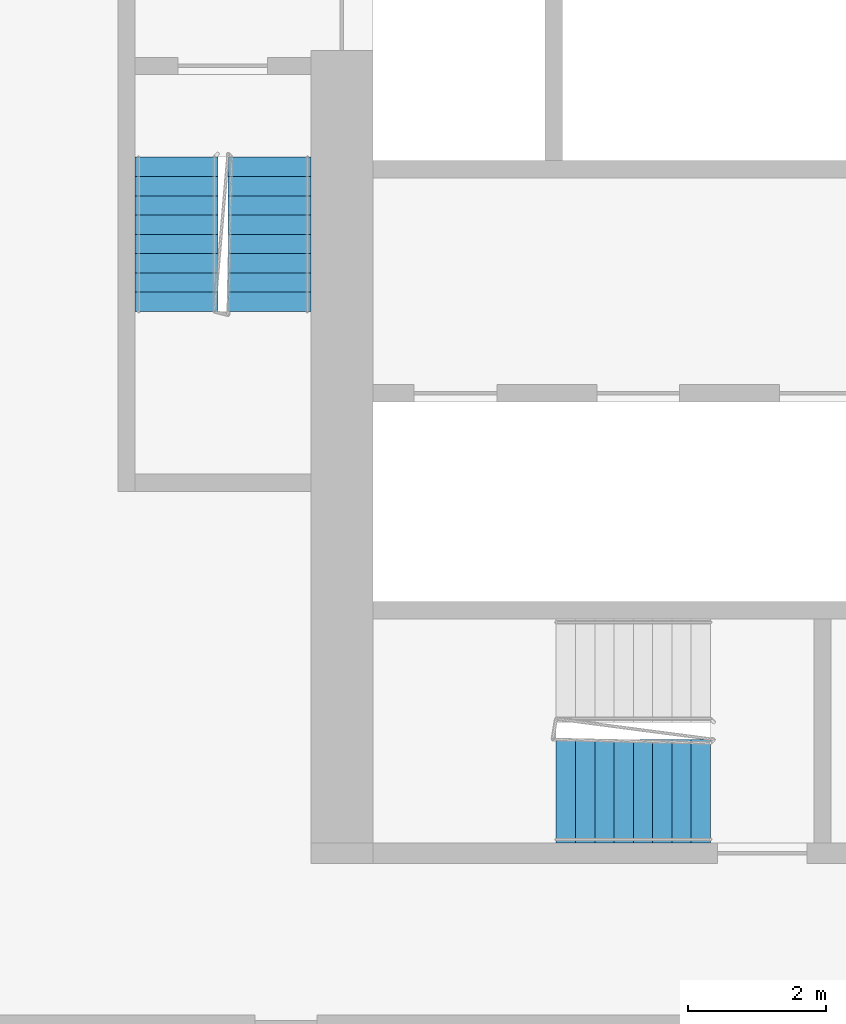
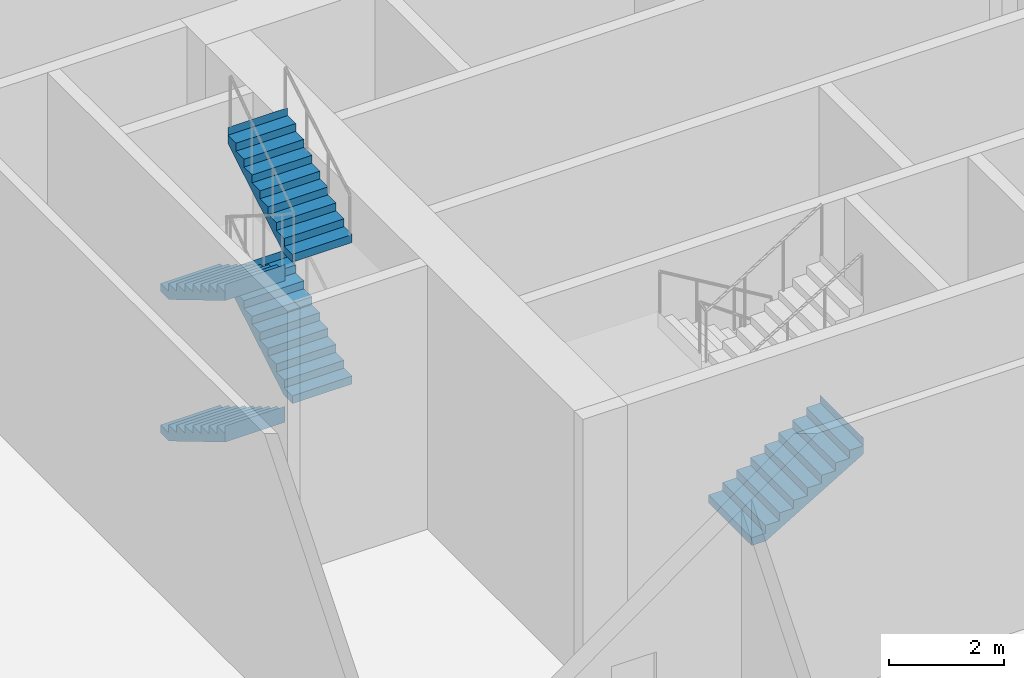
# One storey, part 19 of 26: 5 stair flights, 2 elements without a shape of their own.
"""IFC4 building model written with IfcOpenShell, lengths in metres."""

import ifcopenshell
import ifcopenshell.guid

model = None  # the IFC model being written
_history = None  # IfcOwnerHistory: only IFC2X3 demands one
_inside = {}  # id of a spatial element -> (the spatial element, [elements in it])
_under = {}  # id of a project, library or spatial element -> (it, [spatial elements below it])
_declared = {}  # id of a project -> (the project, [libraries it declares])
_typed = {}  # id of a type object -> (the type object, [elements of that type])
_made_of = {}  # id of a material, layer set ... -> (it, [elements and type objects made of it])


def new_model(schema):
    """Start an empty IFC model of exactly this schema.

    Asked for "IFC4X3", IfcOpenShell would pick the latest addendum, in which some entities
    have other attributes; the version numbers below select the first issue.
    IFC2X3 requires an IfcOwnerHistory on every rooted entity: one is made here for all.
    """
    global model, _history
    if schema == "IFC4X3":
        model = ifcopenshell.file(schema_version=(4, 3, 0, 0))
    else:
        model = ifcopenshell.file(schema=schema)
    _inside.clear()
    _under.clear()
    _declared.clear()
    _typed.clear()
    _made_of.clear()
    _history = None
    if model.schema == "IFC2X3":
        org = make("IfcOrganization", Name="unknown")
        user = make(
            "IfcPersonAndOrganization",
            ThePerson=make("IfcPerson", FamilyName="unknown"),
            TheOrganization=org,
        )
        app = make(
            "IfcApplication",
            ApplicationDeveloper=org,
            Version="unknown",
            ApplicationFullName="unknown",
            ApplicationIdentifier="unknown",
        )
        _history = make(
            "IfcOwnerHistory",
            OwningUser=user,
            OwningApplication=app,
            ChangeAction="ADDED",
            CreationDate=0,
        )
    return model


def make(cls, **values):
    """One entity of the class cls with the attributes given. An attribute that is None is left unset."""
    return model.create_entity(
        cls, **{name: value for name, value in values.items() if value is not None}
    )


def rooted(cls, **values):
    """An entity with a GlobalId (a new one), such as an element, a storey or a relation."""
    return make(cls, GlobalId=ifcopenshell.guid.new(), OwnerHistory=_history, **values)


def si_unit(unit_type, name, prefix=None):
    """IfcSIUnit, for example si_unit("LENGTHUNIT", "METRE", prefix="MILLI")."""
    return make("IfcSIUnit", UnitType=unit_type, Prefix=prefix, Name=name)


def assignment(units):
    """IfcUnitAssignment: the units of a project."""
    return None if units is None else make("IfcUnitAssignment", Units=units)


def point(xyz):
    """IfcCartesianPoint."""
    return None if xyz is None else make("IfcCartesianPoint", Coordinates=xyz)


def direction(xyz):
    """IfcDirection."""
    return None if xyz is None else make("IfcDirection", DirectionRatios=xyz)


def frame(location, z_axis=None, x_axis=None):
    """IfcAxis2Placement3D, a coordinate frame: its origin and axes. An axis left out is left unset."""
    return make(
        "IfcAxis2Placement3D",
        Location=point(location),
        Axis=direction(z_axis),
        RefDirection=direction(x_axis),
    )


def origin():
    """The frame at (0, 0, 0) with its axes left unset."""
    return frame((0.0, 0.0, 0.0))


def place(relative_to, where):
    """IfcLocalPlacement: puts the frame where relative to a parent placement (None: the world)."""
    return make(
        "IfcLocalPlacement", PlacementRelTo=relative_to, RelativePlacement=where
    )


def context(
    kind, dimensions, precision=None, world=None, true_north=None, identifier=None
):
    """IfcGeometricRepresentationContext, for example the 3D "Model" context."""
    return make(
        "IfcGeometricRepresentationContext",
        ContextIdentifier=identifier,
        ContextType=kind,
        CoordinateSpaceDimension=dimensions,
        Precision=precision,
        WorldCoordinateSystem=world,
        TrueNorth=true_north,
    )


def subcontext(parent, identifier, kind, view, scale=None):
    """IfcGeometricRepresentationSubContext, for example "Body" below "Model"."""
    return make(
        "IfcGeometricRepresentationSubContext",
        ContextIdentifier=identifier,
        ContextType=kind,
        ParentContext=parent,
        TargetScale=scale,
        TargetView=view,
    )


def project(units=None, contexts=None):
    """IfcProject with its units and contexts."""
    return rooted(
        "IfcProject",
        Name="project",
        RepresentationContexts=contexts,
        UnitsInContext=assignment(units),
    )


def spatial(cls, under=None, at=None, **own):
    """A site, building, storey or space (cls), placed at a placement, below another one or the project."""
    s = rooted(cls, ObjectPlacement=at, **own)
    if under is not None:
        _under.setdefault(under.id(), (under, []))[1].append(s)
    return s


def faces_of(points, faces, orient=None, outer=None):
    """IfcFace entities. A face is a list of loops; a loop is a list of indices into points, from 0.

    orient and outer hold one flag for each loop. By default every Orientation is true, the
    first loop of a face is its IfcFaceOuterBound and the others are IfcFaceBound.
    """
    made = []
    for i, loops in enumerate(faces):
        bounds = []
        for j, loop in enumerate(loops):
            is_outer = j == 0 if outer is None else outer[i][j]
            bounds.append(
                make(
                    "IfcFaceOuterBound" if is_outer else "IfcFaceBound",
                    Bound=make("IfcPolyLoop", Polygon=[points[k] for k in loop]),
                    Orientation=True if orient is None else orient[i][j],
                )
            )
        made.append(make("IfcFace", Bounds=bounds))
    return made


def faceted_brep(points, faces, orient=None, outer=None, voids=None):
    """IfcFacetedBrep: a solid bounded by flat faces; with voids (closed shells), ...WithVoids."""
    shared = [point(p) for p in points]
    hull = make("IfcClosedShell", CfsFaces=faces_of(shared, faces, orient, outer))
    if voids is None:
        return make("IfcFacetedBrep", Outer=hull)
    return make(
        "IfcFacetedBrepWithVoids",
        Outer=hull,
        Voids=[
            make(cls, CfsFaces=faces_of(shared, fs, o, b)) for cls, fs, o, b in voids
        ],
    )


def shape(context_of_items, identifier, shape_type, items):
    """IfcShapeRepresentation: the items that make up one representation, for example the "Body"."""
    return make(
        "IfcShapeRepresentation",
        ContextOfItems=context_of_items,
        RepresentationIdentifier=identifier,
        RepresentationType=shape_type,
        Items=items,
    )


def material(Name=None, Category=None):
    """IfcMaterial."""
    return make("IfcMaterial", Name=Name, Category=Category)


def made_of(thing, what):
    """Note that an element or type object is made of a material, layer set ...; save() writes the relation."""
    if what is not None:
        _made_of.setdefault(what.id(), (what, []))[1].append(thing)
    return thing


def type_object(cls, material=None, **own):
    """A type object (cls), such as IfcWallType, which elements share."""
    return made_of(rooted(cls, **own), material)


def element(
    cls,
    number,
    at=None,
    inside=None,
    cuts=None,
    type_object=None,
    material=None,
    context=None,
    identifier="Body",
    shape_type=None,
    held_by="IfcProductDefinitionShape",
    body=None,
    shapes=None,
    **own,
):
    """One element of the class cls, such as IfcWall. Its Tag is "e" and its number.

    at: its placement. inside: the storey or other place that contains it. cuts: it is an
    opening in that element (IfcRelVoidsElement). A single representation is given by context,
    identifier, shape_type and body (its items); several are given by shapes. held_by: the class
    of the entity that holds the representations. save() writes the other relations.
    """
    e = rooted(cls, Tag="e%d" % number, ObjectPlacement=at, **own)
    if body is not None:
        shapes = [shape(context, identifier, shape_type, body)]
    if shapes is not None:
        e.Representation = make(held_by, Representations=shapes)
    if inside is not None:
        _inside.setdefault(inside.id(), (inside, []))[1].append(e)
    if cuts is not None:
        rooted(
            "IfcRelVoidsElement", RelatingBuildingElement=cuts, RelatedOpeningElement=e
        )
    if type_object is not None:
        _typed.setdefault(type_object.id(), (type_object, []))[1].append(e)
    return made_of(e, material)


def aggregate(whole, parts):
    """IfcRelAggregates: a whole, such as a stair, and the parts it consists of."""
    return rooted("IfcRelAggregates", RelatingObject=whole, RelatedObjects=parts)


def save(model, path):
    """Write the relations noted so far, then the file.

    IfcRelAggregates (storeys below a building ...), IfcRelContainedInSpatialStructure (elements
    in a storey), IfcRelDefinesByType, IfcRelAssociatesMaterial and IfcRelDeclares: one each for
    every whole, place, type object, material and project.
    """
    for whole, parts in _under.values():
        aggregate(whole, parts)
    for where, things in _inside.values():
        rooted(
            "IfcRelContainedInSpatialStructure",
            RelatedElements=things,
            RelatingStructure=where,
        )
    for kind, things in _typed.values():
        rooted("IfcRelDefinesByType", RelatedObjects=things, RelatingType=kind)
    for what, things in _made_of.values():
        rooted("IfcRelAssociatesMaterial", RelatedObjects=things, RelatingMaterial=what)
    for by, libraries in _declared.values():
        rooted("IfcRelDeclares", RelatingContext=by, RelatedDefinitions=libraries)
    model.write(path)


model = new_model("IFC4")

# Units and contexts
model_context = context("Model", 3, precision=1e-05, world=origin(), true_north=direction((0.0, 1.0)))
body_context = subcontext(model_context, "Body", "Model", "MODEL_VIEW")
ifc_project = project(units=[si_unit("LENGTHUNIT", "METRE"), si_unit("AREAUNIT", "SQUARE_METRE"), si_unit("VOLUMEUNIT", "CUBIC_METRE"), si_unit("PLANEANGLEUNIT", "RADIAN"), si_unit("MASSUNIT", "GRAM", prefix="KILO")], contexts=[model_context])

# Site, building, storey
site_placement = place(None, origin())
site = spatial("IfcSite", under=ifc_project, at=site_placement, CompositionType="ELEMENT")
building_placement = place(site_placement, origin())
building = spatial("IfcBuilding", under=site, at=building_placement, Name="Kajstack Hotel Tower", CompositionType="ELEMENT")
storey_placement = place(building_placement, frame((0.0, 0.0, 47.0)))
storey = spatial("IfcBuildingStorey", under=building, at=storey_placement, Name="L07", CompositionType="ELEMENT", Elevation=47.0)

# Stair, stair flights
ifc_material = material(Name="Concrete C40/50", Category="concrete")
stair_type_1 = type_object("IfcStairType", Name="Exit stair 1200", PredefinedType="HALF_TURN_STAIR", material=ifc_material)
stair_1_placement = place(storey_placement, origin())
stair_1 = element("IfcStair", 1, at=stair_1_placement, inside=storey, type_object=stair_type_1, Name="L07 stair W1", PredefinedType="HALF_TURN_STAIR")
stair_flight_type_1 = type_object("IfcStairFlightType", Name="Exit stair flight 1200", PredefinedType="STRAIGHT", material=ifc_material)
stair_flight_1_placement = place(storey_placement, frame((-33.449951171875, -5.25, 0.0), z_axis=(0.0, 0.0, 1.0), x_axis=(0.0, -1.0, 0.0)))
stair_flight_1 = element("IfcStairFlight", 2, at=stair_flight_1_placement, type_object=stair_flight_type_1, Name="W1 flight 1", NumberOfRisers=9, NumberOfTreads=8, PredefinedType="STRAIGHT", RiserHeight=0.166666667, TreadLength=0.28, context=body_context, shape_type="Brep", body=[
    faceted_brep([(0.29345703125, -0.60009765625, 0.0), (2.240478515625, -0.60009765625, 1.158935546875), (2.240478515625, -0.60009765625, 1.5), (2.239990234375, -0.60009765625, 1.5), (2.239990234375, -0.60009765625, 1.333251953125), (1.9599609375, -0.60009765625, 1.333251953125), (1.9599609375, -0.60009765625, 1.166748046875), (1.679931640625, -0.60009765625, 1.166748046875), (1.679931640625, -0.60009765625, 1.0), (1.39990234375, -0.60009765625, 1.0), (1.39990234375, -0.60009765625, 0.833251953125), (1.1201171875, -0.60009765625, 0.833251953125), (1.1201171875, -0.60009765625, 0.666748046875), (0.840087890625, -0.60009765625, 0.666748046875), (0.840087890625, -0.60009765625, 0.5), (0.56005859375, -0.60009765625, 0.5), (0.56005859375, -0.60009765625, 0.333251953125), (0.280029296875, -0.60009765625, 0.333251953125), (0.280029296875, -0.60009765625, 0.166748046875), (-0.00048828125, -0.60009765625, 0.166748046875), (-0.00048828125, -0.60009765625, 0.0), (-0.00048828125, 0.60009765625, 0.0), (-0.00048828125, 0.60009765625, 0.166748046875), (0.280029296875, 0.60009765625, 0.166748046875), (0.280029296875, 0.60009765625, 0.333251953125), (0.56005859375, 0.60009765625, 0.333251953125), (0.56005859375, 0.60009765625, 0.5), (0.840087890625, 0.60009765625, 0.5), (0.840087890625, 0.60009765625, 0.666748046875), (1.1201171875, 0.60009765625, 0.666748046875), (1.1201171875, 0.60009765625, 0.833251953125), (1.39990234375, 0.60009765625, 0.833251953125), (1.39990234375, 0.60009765625, 1.0), (1.679931640625, 0.60009765625, 1.0), (1.679931640625, 0.60009765625, 1.166748046875), (1.9599609375, 0.60009765625, 1.166748046875), (1.9599609375, 0.60009765625, 1.333251953125), (2.239990234375, 0.60009765625, 1.333251953125), (2.239990234375, 0.60009765625, 1.5), (2.240478515625, 0.60009765625, 1.5), (2.240478515625, 0.60009765625, 1.158935546875), (0.29345703125, 0.60009765625, 0.0), (-0.00048828125, -0.300048828125, 0.166748046875), (-0.00048828125, 0.0, 0.166748046875), (-0.00048828125, 0.300048828125, 0.166748046875), (-0.00048828125, 0.300048828125, 0.0), (-0.00048828125, 0.0, 0.0), (-0.00048828125, -0.300048828125, 0.0), (0.280029296875, -0.300048828125, 0.166748046875), (0.280029296875, 0.0, 0.166748046875), (0.280029296875, 0.300048828125, 0.166748046875), (0.280029296875, -0.300048828125, 0.333251953125), (0.280029296875, 0.0, 0.333251953125), (0.280029296875, 0.300048828125, 0.333251953125), (0.56005859375, -0.300048828125, 0.333251953125), (0.56005859375, 0.0, 0.333251953125), (0.56005859375, 0.300048828125, 0.333251953125), (0.56005859375, -0.300048828125, 0.5), (0.56005859375, 0.0, 0.5), (0.56005859375, 0.300048828125, 0.5), (0.840087890625, -0.300048828125, 0.5), (0.840087890625, 0.0, 0.5), (0.840087890625, 0.300048828125, 0.5), (0.840087890625, -0.300048828125, 0.666748046875), (0.840087890625, 0.0, 0.666748046875), (0.840087890625, 0.300048828125, 0.666748046875), (1.1201171875, -0.300048828125, 0.666748046875), (1.1201171875, 0.0, 0.666748046875), (1.1201171875, 0.300048828125, 0.666748046875), (1.1201171875, -0.300048828125, 0.833251953125), (1.1201171875, 0.0, 0.833251953125), (1.1201171875, 0.300048828125, 0.833251953125), (1.39990234375, -0.300048828125, 0.833251953125), (1.39990234375, 0.0, 0.833251953125), (1.39990234375, 0.300048828125, 0.833251953125), (1.39990234375, -0.300048828125, 1.0), (1.39990234375, 0.0, 1.0), (1.39990234375, 0.300048828125, 1.0), (1.679931640625, -0.300048828125, 1.0), (1.679931640625, 0.0, 1.0), (1.679931640625, 0.300048828125, 1.0), (1.679931640625, -0.300048828125, 1.166748046875), (1.679931640625, 0.0, 1.166748046875), (1.679931640625, 0.300048828125, 1.166748046875), (1.9599609375, -0.300048828125, 1.166748046875), (1.9599609375, 0.0, 1.166748046875), (1.9599609375, 0.300048828125, 1.166748046875), (1.9599609375, -0.300048828125, 1.333251953125), (1.9599609375, 0.0, 1.333251953125), (1.9599609375, 0.300048828125, 1.333251953125), (2.239990234375, -0.300048828125, 1.333251953125), (2.239990234375, 0.0, 1.333251953125), (2.239990234375, 0.300048828125, 1.333251953125), (2.239990234375, -0.300048828125, 1.5), (2.239990234375, 0.0, 1.5), (2.239990234375, 0.300048828125, 1.5), (2.240478515625, -0.300048828125, 1.5), (2.240478515625, 0.0, 1.5), (2.240478515625, 0.300048828125, 1.5), (2.240478515625, -0.300048828125, 1.158935546875), (2.240478515625, 0.0, 1.158935546875), (2.240478515625, 0.300048828125, 1.158935546875), (0.29345703125, -0.300048828125, 0.0), (0.29345703125, 0.0, 0.0), (0.29345703125, 0.300048828125, 0.0)], [[[0, 1, 2, 3, 4, 5, 6, 7, 8, 9, 10, 11, 12, 13, 14, 15, 16, 17, 18, 19, 20]], [[21, 22, 23, 24, 25, 26, 27, 28, 29, 30, 31, 32, 33, 34, 35, 36, 37, 38, 39, 40, 41]], [[19, 42, 43, 44, 22, 21, 45, 46, 47, 20]], [[18, 48, 49, 50, 23, 22, 44, 43, 42, 19]], [[17, 51, 52, 53, 24, 23, 50, 49, 48, 18]], [[16, 54, 55, 56, 25, 24, 53, 52, 51, 17]], [[15, 57, 58, 59, 26, 25, 56, 55, 54, 16]], [[14, 60, 61, 62, 27, 26, 59, 58, 57, 15]], [[13, 63, 64, 65, 28, 27, 62, 61, 60, 14]], [[12, 66, 67, 68, 29, 28, 65, 64, 63, 13]], [[11, 69, 70, 71, 30, 29, 68, 67, 66, 12]], [[10, 72, 73, 74, 31, 30, 71, 70, 69, 11]], [[9, 75, 76, 77, 32, 31, 74, 73, 72, 10]], [[8, 78, 79, 80, 33, 32, 77, 76, 75, 9]], [[7, 81, 82, 83, 34, 33, 80, 79, 78, 8]], [[6, 84, 85, 86, 35, 34, 83, 82, 81, 7]], [[5, 87, 88, 89, 36, 35, 86, 85, 84, 6]], [[4, 90, 91, 92, 37, 36, 89, 88, 87, 5]], [[3, 93, 94, 95, 38, 37, 92, 91, 90, 4]], [[2, 96, 97, 98, 39, 38, 95, 94, 93, 3]], [[1, 99, 100, 101, 40, 39, 98, 97, 96, 2]], [[0, 102, 103, 104, 41, 40, 101, 100, 99, 1]], [[20, 47, 46, 45, 21, 41, 104, 103, 102, 0]]]),
])
stair_flight_2_placement = place(storey_placement, frame((-32.10009765625, -7.489990234375, 1.5), z_axis=(0.0, 0.0, 1.0), x_axis=(0.0, 1.0, 0.0)))
stair_flight_2 = element("IfcStairFlight", 3, at=stair_flight_2_placement, type_object=stair_flight_type_1, Name="W1 flight 2", NumberOfRisers=9, NumberOfTreads=8, PredefinedType="STRAIGHT", RiserHeight=0.166666667, TreadLength=0.28, context=body_context, shape_type="Brep", body=[
    faceted_brep([(0.29345703125, -0.60009765625, 0.0), (2.240478515625, -0.60009765625, 1.158935546875), (2.240478515625, -0.60009765625, 1.5), (2.239990234375, -0.60009765625, 1.5), (2.239990234375, -0.60009765625, 1.333251953125), (1.9599609375, -0.60009765625, 1.333251953125), (1.9599609375, -0.60009765625, 1.166748046875), (1.679931640625, -0.60009765625, 1.166748046875), (1.679931640625, -0.60009765625, 1.0), (1.39990234375, -0.60009765625, 1.0), (1.39990234375, -0.60009765625, 0.833251953125), (1.1201171875, -0.60009765625, 0.833251953125), (1.1201171875, -0.60009765625, 0.666748046875), (0.840087890625, -0.60009765625, 0.666748046875), (0.840087890625, -0.60009765625, 0.5), (0.56005859375, -0.60009765625, 0.5), (0.56005859375, -0.60009765625, 0.333251953125), (0.280029296875, -0.60009765625, 0.333251953125), (0.280029296875, -0.60009765625, 0.166748046875), (-0.00048828125, -0.60009765625, 0.166748046875), (-0.00048828125, -0.60009765625, 0.0), (-0.00048828125, 0.60009765625, 0.0), (-0.00048828125, 0.60009765625, 0.166748046875), (0.280029296875, 0.60009765625, 0.166748046875), (0.280029296875, 0.60009765625, 0.333251953125), (0.56005859375, 0.60009765625, 0.333251953125), (0.56005859375, 0.60009765625, 0.5), (0.840087890625, 0.60009765625, 0.5), (0.840087890625, 0.60009765625, 0.666748046875), (1.1201171875, 0.60009765625, 0.666748046875), (1.1201171875, 0.60009765625, 0.833251953125), (1.39990234375, 0.60009765625, 0.833251953125), (1.39990234375, 0.60009765625, 1.0), (1.679931640625, 0.60009765625, 1.0), (1.679931640625, 0.60009765625, 1.166748046875), (1.9599609375, 0.60009765625, 1.166748046875), (1.9599609375, 0.60009765625, 1.333251953125), (2.239990234375, 0.60009765625, 1.333251953125), (2.239990234375, 0.60009765625, 1.5), (2.240478515625, 0.60009765625, 1.5), (2.240478515625, 0.60009765625, 1.158935546875), (0.29345703125, 0.60009765625, 0.0), (-0.00048828125, -0.300048828125, 0.166748046875), (-0.00048828125, 0.0, 0.166748046875), (-0.00048828125, 0.300048828125, 0.166748046875), (-0.00048828125, 0.300048828125, 0.0), (-0.00048828125, 0.0, 0.0), (-0.00048828125, -0.300048828125, 0.0), (0.280029296875, -0.300048828125, 0.166748046875), (0.280029296875, 0.0, 0.166748046875), (0.280029296875, 0.300048828125, 0.166748046875), (0.280029296875, -0.300048828125, 0.333251953125), (0.280029296875, 0.0, 0.333251953125), (0.280029296875, 0.300048828125, 0.333251953125), (0.56005859375, -0.300048828125, 0.333251953125), (0.56005859375, 0.0, 0.333251953125), (0.56005859375, 0.300048828125, 0.333251953125), (0.56005859375, -0.300048828125, 0.5), (0.56005859375, 0.0, 0.5), (0.56005859375, 0.300048828125, 0.5), (0.840087890625, -0.300048828125, 0.5), (0.840087890625, 0.0, 0.5), (0.840087890625, 0.300048828125, 0.5), (0.840087890625, -0.300048828125, 0.666748046875), (0.840087890625, 0.0, 0.666748046875), (0.840087890625, 0.300048828125, 0.666748046875), (1.1201171875, -0.300048828125, 0.666748046875), (1.1201171875, 0.0, 0.666748046875), (1.1201171875, 0.300048828125, 0.666748046875), (1.1201171875, -0.300048828125, 0.833251953125), (1.1201171875, 0.0, 0.833251953125), (1.1201171875, 0.300048828125, 0.833251953125), (1.39990234375, -0.300048828125, 0.833251953125), (1.39990234375, 0.0, 0.833251953125), (1.39990234375, 0.300048828125, 0.833251953125), (1.39990234375, -0.300048828125, 1.0), (1.39990234375, 0.0, 1.0), (1.39990234375, 0.300048828125, 1.0), (1.679931640625, -0.300048828125, 1.0), (1.679931640625, 0.0, 1.0), (1.679931640625, 0.300048828125, 1.0), (1.679931640625, -0.300048828125, 1.166748046875), (1.679931640625, 0.0, 1.166748046875), (1.679931640625, 0.300048828125, 1.166748046875), (1.9599609375, -0.300048828125, 1.166748046875), (1.9599609375, 0.0, 1.166748046875), (1.9599609375, 0.300048828125, 1.166748046875), (1.9599609375, -0.300048828125, 1.333251953125), (1.9599609375, 0.0, 1.333251953125), (1.9599609375, 0.300048828125, 1.333251953125), (2.239990234375, -0.300048828125, 1.333251953125), (2.239990234375, 0.0, 1.333251953125), (2.239990234375, 0.300048828125, 1.333251953125), (2.239990234375, -0.300048828125, 1.5), (2.239990234375, 0.0, 1.5), (2.239990234375, 0.300048828125, 1.5), (2.240478515625, -0.300048828125, 1.5), (2.240478515625, 0.0, 1.5), (2.240478515625, 0.300048828125, 1.5), (2.240478515625, -0.300048828125, 1.158935546875), (2.240478515625, 0.0, 1.158935546875), (2.240478515625, 0.300048828125, 1.158935546875), (0.29345703125, -0.300048828125, 0.0), (0.29345703125, 0.0, 0.0), (0.29345703125, 0.300048828125, 0.0)], [[[0, 1, 2, 3, 4, 5, 6, 7, 8, 9, 10, 11, 12, 13, 14, 15, 16, 17, 18, 19, 20]], [[21, 22, 23, 24, 25, 26, 27, 28, 29, 30, 31, 32, 33, 34, 35, 36, 37, 38, 39, 40, 41]], [[19, 42, 43, 44, 22, 21, 45, 46, 47, 20]], [[18, 48, 49, 50, 23, 22, 44, 43, 42, 19]], [[17, 51, 52, 53, 24, 23, 50, 49, 48, 18]], [[16, 54, 55, 56, 25, 24, 53, 52, 51, 17]], [[15, 57, 58, 59, 26, 25, 56, 55, 54, 16]], [[14, 60, 61, 62, 27, 26, 59, 58, 57, 15]], [[13, 63, 64, 65, 28, 27, 62, 61, 60, 14]], [[12, 66, 67, 68, 29, 28, 65, 64, 63, 13]], [[11, 69, 70, 71, 30, 29, 68, 67, 66, 12]], [[10, 72, 73, 74, 31, 30, 71, 70, 69, 11]], [[9, 75, 76, 77, 32, 31, 74, 73, 72, 10]], [[8, 78, 79, 80, 33, 32, 77, 76, 75, 9]], [[7, 81, 82, 83, 34, 33, 80, 79, 78, 8]], [[6, 84, 85, 86, 35, 34, 83, 82, 81, 7]], [[5, 87, 88, 89, 36, 35, 86, 85, 84, 6]], [[4, 90, 91, 92, 37, 36, 89, 88, 87, 5]], [[3, 93, 94, 95, 38, 37, 92, 91, 90, 4]], [[2, 96, 97, 98, 39, 38, 95, 94, 93, 3]], [[1, 99, 100, 101, 40, 39, 98, 97, 96, 2]], [[0, 102, 103, 104, 41, 40, 101, 100, 99, 1]], [[20, 47, 46, 45, 21, 41, 104, 103, 102, 0]]]),
])
stair_flight_3_placement = place(storey_placement, frame((-33.449951171875, -5.25, 3.0), z_axis=(0.0, 0.0, 1.0), x_axis=(0.0, -1.0, 0.0)))
stair_flight_3 = element("IfcStairFlight", 4, at=stair_flight_3_placement, type_object=stair_flight_type_1, Name="W1 flight 3", NumberOfRisers=9, NumberOfTreads=8, PredefinedType="STRAIGHT", RiserHeight=0.166666667, TreadLength=0.28, context=body_context, shape_type="Brep", body=[
    faceted_brep([(0.29345703125, -0.60009765625, 0.0), (2.240478515625, -0.60009765625, 1.158935546875), (2.240478515625, -0.60009765625, 1.5), (2.239990234375, -0.60009765625, 1.5), (2.239990234375, -0.60009765625, 1.333251953125), (1.9599609375, -0.60009765625, 1.333251953125), (1.9599609375, -0.60009765625, 1.166748046875), (1.679931640625, -0.60009765625, 1.166748046875), (1.679931640625, -0.60009765625, 1.0), (1.39990234375, -0.60009765625, 1.0), (1.39990234375, -0.60009765625, 0.833251953125), (1.1201171875, -0.60009765625, 0.833251953125), (1.1201171875, -0.60009765625, 0.666748046875), (0.840087890625, -0.60009765625, 0.666748046875), (0.840087890625, -0.60009765625, 0.5), (0.56005859375, -0.60009765625, 0.5), (0.56005859375, -0.60009765625, 0.333251953125), (0.280029296875, -0.60009765625, 0.333251953125), (0.280029296875, -0.60009765625, 0.166748046875), (-0.00048828125, -0.60009765625, 0.166748046875), (-0.00048828125, -0.60009765625, 0.0), (-0.00048828125, 0.60009765625, 0.0), (-0.00048828125, 0.60009765625, 0.166748046875), (0.280029296875, 0.60009765625, 0.166748046875), (0.280029296875, 0.60009765625, 0.333251953125), (0.56005859375, 0.60009765625, 0.333251953125), (0.56005859375, 0.60009765625, 0.5), (0.840087890625, 0.60009765625, 0.5), (0.840087890625, 0.60009765625, 0.666748046875), (1.1201171875, 0.60009765625, 0.666748046875), (1.1201171875, 0.60009765625, 0.833251953125), (1.39990234375, 0.60009765625, 0.833251953125), (1.39990234375, 0.60009765625, 1.0), (1.679931640625, 0.60009765625, 1.0), (1.679931640625, 0.60009765625, 1.166748046875), (1.9599609375, 0.60009765625, 1.166748046875), (1.9599609375, 0.60009765625, 1.333251953125), (2.239990234375, 0.60009765625, 1.333251953125), (2.239990234375, 0.60009765625, 1.5), (2.240478515625, 0.60009765625, 1.5), (2.240478515625, 0.60009765625, 1.158935546875), (0.29345703125, 0.60009765625, 0.0), (-0.00048828125, -0.300048828125, 0.166748046875), (-0.00048828125, 0.0, 0.166748046875), (-0.00048828125, 0.300048828125, 0.166748046875), (-0.00048828125, 0.300048828125, 0.0), (-0.00048828125, 0.0, 0.0), (-0.00048828125, -0.300048828125, 0.0), (0.280029296875, -0.300048828125, 0.166748046875), (0.280029296875, 0.0, 0.166748046875), (0.280029296875, 0.300048828125, 0.166748046875), (0.280029296875, -0.300048828125, 0.333251953125), (0.280029296875, 0.0, 0.333251953125), (0.280029296875, 0.300048828125, 0.333251953125), (0.56005859375, -0.300048828125, 0.333251953125), (0.56005859375, 0.0, 0.333251953125), (0.56005859375, 0.300048828125, 0.333251953125), (0.56005859375, -0.300048828125, 0.5), (0.56005859375, 0.0, 0.5), (0.56005859375, 0.300048828125, 0.5), (0.840087890625, -0.300048828125, 0.5), (0.840087890625, 0.0, 0.5), (0.840087890625, 0.300048828125, 0.5), (0.840087890625, -0.300048828125, 0.666748046875), (0.840087890625, 0.0, 0.666748046875), (0.840087890625, 0.300048828125, 0.666748046875), (1.1201171875, -0.300048828125, 0.666748046875), (1.1201171875, 0.0, 0.666748046875), (1.1201171875, 0.300048828125, 0.666748046875), (1.1201171875, -0.300048828125, 0.833251953125), (1.1201171875, 0.0, 0.833251953125), (1.1201171875, 0.300048828125, 0.833251953125), (1.39990234375, -0.300048828125, 0.833251953125), (1.39990234375, 0.0, 0.833251953125), (1.39990234375, 0.300048828125, 0.833251953125), (1.39990234375, -0.300048828125, 1.0), (1.39990234375, 0.0, 1.0), (1.39990234375, 0.300048828125, 1.0), (1.679931640625, -0.300048828125, 1.0), (1.679931640625, 0.0, 1.0), (1.679931640625, 0.300048828125, 1.0), (1.679931640625, -0.300048828125, 1.166748046875), (1.679931640625, 0.0, 1.166748046875), (1.679931640625, 0.300048828125, 1.166748046875), (1.9599609375, -0.300048828125, 1.166748046875), (1.9599609375, 0.0, 1.166748046875), (1.9599609375, 0.300048828125, 1.166748046875), (1.9599609375, -0.300048828125, 1.333251953125), (1.9599609375, 0.0, 1.333251953125), (1.9599609375, 0.300048828125, 1.333251953125), (2.239990234375, -0.300048828125, 1.333251953125), (2.239990234375, 0.0, 1.333251953125), (2.239990234375, 0.300048828125, 1.333251953125), (2.239990234375, -0.300048828125, 1.5), (2.239990234375, 0.0, 1.5), (2.239990234375, 0.300048828125, 1.5), (2.240478515625, -0.300048828125, 1.5), (2.240478515625, 0.0, 1.5), (2.240478515625, 0.300048828125, 1.5), (2.240478515625, -0.300048828125, 1.158935546875), (2.240478515625, 0.0, 1.158935546875), (2.240478515625, 0.300048828125, 1.158935546875), (0.29345703125, -0.300048828125, 0.0), (0.29345703125, 0.0, 0.0), (0.29345703125, 0.300048828125, 0.0)], [[[0, 1, 2, 3, 4, 5, 6, 7, 8, 9, 10, 11, 12, 13, 14, 15, 16, 17, 18, 19, 20]], [[21, 22, 23, 24, 25, 26, 27, 28, 29, 30, 31, 32, 33, 34, 35, 36, 37, 38, 39, 40, 41]], [[19, 42, 43, 44, 22, 21, 45, 46, 47, 20]], [[18, 48, 49, 50, 23, 22, 44, 43, 42, 19]], [[17, 51, 52, 53, 24, 23, 50, 49, 48, 18]], [[16, 54, 55, 56, 25, 24, 53, 52, 51, 17]], [[15, 57, 58, 59, 26, 25, 56, 55, 54, 16]], [[14, 60, 61, 62, 27, 26, 59, 58, 57, 15]], [[13, 63, 64, 65, 28, 27, 62, 61, 60, 14]], [[12, 66, 67, 68, 29, 28, 65, 64, 63, 13]], [[11, 69, 70, 71, 30, 29, 68, 67, 66, 12]], [[10, 72, 73, 74, 31, 30, 71, 70, 69, 11]], [[9, 75, 76, 77, 32, 31, 74, 73, 72, 10]], [[8, 78, 79, 80, 33, 32, 77, 76, 75, 9]], [[7, 81, 82, 83, 34, 33, 80, 79, 78, 8]], [[6, 84, 85, 86, 35, 34, 83, 82, 81, 7]], [[5, 87, 88, 89, 36, 35, 86, 85, 84, 6]], [[4, 90, 91, 92, 37, 36, 89, 88, 87, 5]], [[3, 93, 94, 95, 38, 37, 92, 91, 90, 4]], [[2, 96, 97, 98, 39, 38, 95, 94, 93, 3]], [[1, 99, 100, 101, 40, 39, 98, 97, 96, 2]], [[0, 102, 103, 104, 41, 40, 101, 100, 99, 1]], [[20, 47, 46, 45, 21, 41, 104, 103, 102, 0]]]),
])
stair_flight_4_placement = place(storey_placement, frame((-32.10009765625, -7.489990234375, 4.5), z_axis=(0.0, 0.0, 1.0), x_axis=(0.0, 1.0, 0.0)))
stair_flight_4 = element("IfcStairFlight", 5, at=stair_flight_4_placement, type_object=stair_flight_type_1, Name="W1 flight 4", NumberOfRisers=9, NumberOfTreads=8, PredefinedType="STRAIGHT", RiserHeight=0.166666667, TreadLength=0.28, context=body_context, shape_type="Brep", body=[
    faceted_brep([(0.29345703125, -0.60009765625, 0.0), (2.240478515625, -0.60009765625, 1.158935546875), (2.240478515625, -0.60009765625, 1.5), (2.239990234375, -0.60009765625, 1.5), (2.239990234375, -0.60009765625, 1.333251953125), (1.9599609375, -0.60009765625, 1.333251953125), (1.9599609375, -0.60009765625, 1.166748046875), (1.679931640625, -0.60009765625, 1.166748046875), (1.679931640625, -0.60009765625, 1.0), (1.39990234375, -0.60009765625, 1.0), (1.39990234375, -0.60009765625, 0.833251953125), (1.1201171875, -0.60009765625, 0.833251953125), (1.1201171875, -0.60009765625, 0.666748046875), (0.840087890625, -0.60009765625, 0.666748046875), (0.840087890625, -0.60009765625, 0.5), (0.56005859375, -0.60009765625, 0.5), (0.56005859375, -0.60009765625, 0.333251953125), (0.280029296875, -0.60009765625, 0.333251953125), (0.280029296875, -0.60009765625, 0.166748046875), (-0.00048828125, -0.60009765625, 0.166748046875), (-0.00048828125, -0.60009765625, 0.0), (-0.00048828125, 0.60009765625, 0.0), (-0.00048828125, 0.60009765625, 0.166748046875), (0.280029296875, 0.60009765625, 0.166748046875), (0.280029296875, 0.60009765625, 0.333251953125), (0.56005859375, 0.60009765625, 0.333251953125), (0.56005859375, 0.60009765625, 0.5), (0.840087890625, 0.60009765625, 0.5), (0.840087890625, 0.60009765625, 0.666748046875), (1.1201171875, 0.60009765625, 0.666748046875), (1.1201171875, 0.60009765625, 0.833251953125), (1.39990234375, 0.60009765625, 0.833251953125), (1.39990234375, 0.60009765625, 1.0), (1.679931640625, 0.60009765625, 1.0), (1.679931640625, 0.60009765625, 1.166748046875), (1.9599609375, 0.60009765625, 1.166748046875), (1.9599609375, 0.60009765625, 1.333251953125), (2.239990234375, 0.60009765625, 1.333251953125), (2.239990234375, 0.60009765625, 1.5), (2.240478515625, 0.60009765625, 1.5), (2.240478515625, 0.60009765625, 1.158935546875), (0.29345703125, 0.60009765625, 0.0), (-0.00048828125, -0.300048828125, 0.166748046875), (-0.00048828125, 0.0, 0.166748046875), (-0.00048828125, 0.300048828125, 0.166748046875), (-0.00048828125, 0.300048828125, 0.0), (-0.00048828125, 0.0, 0.0), (-0.00048828125, -0.300048828125, 0.0), (0.280029296875, -0.300048828125, 0.166748046875), (0.280029296875, 0.0, 0.166748046875), (0.280029296875, 0.300048828125, 0.166748046875), (0.280029296875, -0.300048828125, 0.333251953125), (0.280029296875, 0.0, 0.333251953125), (0.280029296875, 0.300048828125, 0.333251953125), (0.56005859375, -0.300048828125, 0.333251953125), (0.56005859375, 0.0, 0.333251953125), (0.56005859375, 0.300048828125, 0.333251953125), (0.56005859375, -0.300048828125, 0.5), (0.56005859375, 0.0, 0.5), (0.56005859375, 0.300048828125, 0.5), (0.840087890625, -0.300048828125, 0.5), (0.840087890625, 0.0, 0.5), (0.840087890625, 0.300048828125, 0.5), (0.840087890625, -0.300048828125, 0.666748046875), (0.840087890625, 0.0, 0.666748046875), (0.840087890625, 0.300048828125, 0.666748046875), (1.1201171875, -0.300048828125, 0.666748046875), (1.1201171875, 0.0, 0.666748046875), (1.1201171875, 0.300048828125, 0.666748046875), (1.1201171875, -0.300048828125, 0.833251953125), (1.1201171875, 0.0, 0.833251953125), (1.1201171875, 0.300048828125, 0.833251953125), (1.39990234375, -0.300048828125, 0.833251953125), (1.39990234375, 0.0, 0.833251953125), (1.39990234375, 0.300048828125, 0.833251953125), (1.39990234375, -0.300048828125, 1.0), (1.39990234375, 0.0, 1.0), (1.39990234375, 0.300048828125, 1.0), (1.679931640625, -0.300048828125, 1.0), (1.679931640625, 0.0, 1.0), (1.679931640625, 0.300048828125, 1.0), (1.679931640625, -0.300048828125, 1.166748046875), (1.679931640625, 0.0, 1.166748046875), (1.679931640625, 0.300048828125, 1.166748046875), (1.9599609375, -0.300048828125, 1.166748046875), (1.9599609375, 0.0, 1.166748046875), (1.9599609375, 0.300048828125, 1.166748046875), (1.9599609375, -0.300048828125, 1.333251953125), (1.9599609375, 0.0, 1.333251953125), (1.9599609375, 0.300048828125, 1.333251953125), (2.239990234375, -0.300048828125, 1.333251953125), (2.239990234375, 0.0, 1.333251953125), (2.239990234375, 0.300048828125, 1.333251953125), (2.239990234375, -0.300048828125, 1.5), (2.239990234375, 0.0, 1.5), (2.239990234375, 0.300048828125, 1.5), (2.240478515625, -0.300048828125, 1.5), (2.240478515625, 0.0, 1.5), (2.240478515625, 0.300048828125, 1.5), (2.240478515625, -0.300048828125, 1.158935546875), (2.240478515625, 0.0, 1.158935546875), (2.240478515625, 0.300048828125, 1.158935546875), (0.29345703125, -0.300048828125, 0.0), (0.29345703125, 0.0, 0.0), (0.29345703125, 0.300048828125, 0.0)], [[[0, 1, 2, 3, 4, 5, 6, 7, 8, 9, 10, 11, 12, 13, 14, 15, 16, 17, 18, 19, 20]], [[21, 22, 23, 24, 25, 26, 27, 28, 29, 30, 31, 32, 33, 34, 35, 36, 37, 38, 39, 40, 41]], [[19, 42, 43, 44, 22, 21, 45, 46, 47, 20]], [[18, 48, 49, 50, 23, 22, 44, 43, 42, 19]], [[17, 51, 52, 53, 24, 23, 50, 49, 48, 18]], [[16, 54, 55, 56, 25, 24, 53, 52, 51, 17]], [[15, 57, 58, 59, 26, 25, 56, 55, 54, 16]], [[14, 60, 61, 62, 27, 26, 59, 58, 57, 15]], [[13, 63, 64, 65, 28, 27, 62, 61, 60, 14]], [[12, 66, 67, 68, 29, 28, 65, 64, 63, 13]], [[11, 69, 70, 71, 30, 29, 68, 67, 66, 12]], [[10, 72, 73, 74, 31, 30, 71, 70, 69, 11]], [[9, 75, 76, 77, 32, 31, 74, 73, 72, 10]], [[8, 78, 79, 80, 33, 32, 77, 76, 75, 9]], [[7, 81, 82, 83, 34, 33, 80, 79, 78, 8]], [[6, 84, 85, 86, 35, 34, 83, 82, 81, 7]], [[5, 87, 88, 89, 36, 35, 86, 85, 84, 6]], [[4, 90, 91, 92, 37, 36, 89, 88, 87, 5]], [[3, 93, 94, 95, 38, 37, 92, 91, 90, 4]], [[2, 96, 97, 98, 39, 38, 95, 94, 93, 3]], [[1, 99, 100, 101, 40, 39, 98, 97, 96, 2]], [[0, 102, 103, 104, 41, 40, 101, 100, 99, 1]], [[20, 47, 46, 45, 21, 41, 104, 103, 102, 0]]]),
])
aggregate(stair_1, [stair_flight_1, stair_flight_2, stair_flight_3, stair_flight_4])

# Stair, stair flight
stair_type_2 = type_object("IfcStairType", Name="Exit stair 1500", PredefinedType="HALF_TURN_STAIR", material=ifc_material)
stair_2_placement = place(storey_placement, origin())
stair_2 = element("IfcStair", 6, at=stair_2_placement, inside=storey, type_object=stair_type_2, Name="L07 stair W3", PredefinedType="HALF_TURN_STAIR")
stair_flight_type_2 = type_object("IfcStairFlightType", Name="Exit stair flight 1500", PredefinedType="STRAIGHT", material=ifc_material)
stair_flight_5_placement = place(storey_placement, frame((-27.93994140625, -14.449951171875, 1.5), z_axis=(0.0, 0.0, 1.0), x_axis=(1.0, 0.0, 0.0)))
stair_flight_5 = element("IfcStairFlight", 7, at=stair_flight_5_placement, type_object=stair_flight_type_2, Name="W3 flight 2", NumberOfRisers=9, NumberOfTreads=8, PredefinedType="STRAIGHT", RiserHeight=0.166666667, TreadLength=0.28, context=body_context, shape_type="Brep", body=[
    faceted_brep([(0.29345703125, -0.75, 0.0), (2.240478515625, -0.75, 1.158935546875), (2.240478515625, -0.75, 1.5), (2.239990234375, -0.75, 1.5), (2.239990234375, -0.75, 1.333251953125), (1.9599609375, -0.75, 1.333251953125), (1.9599609375, -0.75, 1.166748046875), (1.679931640625, -0.75, 1.166748046875), (1.679931640625, -0.75, 1.0), (1.39990234375, -0.75, 1.0), (1.39990234375, -0.75, 0.833251953125), (1.1201171875, -0.75, 0.833251953125), (1.1201171875, -0.75, 0.666748046875), (0.840087890625, -0.75, 0.666748046875), (0.840087890625, -0.75, 0.5), (0.56005859375, -0.75, 0.5), (0.56005859375, -0.75, 0.333251953125), (0.280029296875, -0.75, 0.333251953125), (0.280029296875, -0.75, 0.166748046875), (-0.00048828125, -0.75, 0.166748046875), (-0.00048828125, -0.75, 0.0), (-0.00048828125, 0.75, 0.0), (-0.00048828125, 0.75, 0.166748046875), (0.280029296875, 0.75, 0.166748046875), (0.280029296875, 0.75, 0.333251953125), (0.56005859375, 0.75, 0.333251953125), (0.56005859375, 0.75, 0.5), (0.840087890625, 0.75, 0.5), (0.840087890625, 0.75, 0.666748046875), (1.1201171875, 0.75, 0.666748046875), (1.1201171875, 0.75, 0.833251953125), (1.39990234375, 0.75, 0.833251953125), (1.39990234375, 0.75, 1.0), (1.679931640625, 0.75, 1.0), (1.679931640625, 0.75, 1.166748046875), (1.9599609375, 0.75, 1.166748046875), (1.9599609375, 0.75, 1.333251953125), (2.239990234375, 0.75, 1.333251953125), (2.239990234375, 0.75, 1.5), (2.240478515625, 0.75, 1.5), (2.240478515625, 0.75, 1.158935546875), (0.29345703125, 0.75, 0.0), (-0.00048828125, -0.375, 0.166748046875), (-0.00048828125, 0.0, 0.166748046875), (-0.00048828125, 0.375, 0.166748046875), (-0.00048828125, 0.375, 0.0), (-0.00048828125, 0.0, 0.0), (-0.00048828125, -0.375, 0.0), (0.280029296875, -0.375, 0.166748046875), (0.280029296875, 0.0, 0.166748046875), (0.280029296875, 0.375, 0.166748046875), (0.280029296875, -0.375, 0.333251953125), (0.280029296875, 0.0, 0.333251953125), (0.280029296875, 0.375, 0.333251953125), (0.56005859375, -0.375, 0.333251953125), (0.56005859375, 0.0, 0.333251953125), (0.56005859375, 0.375, 0.333251953125), (0.56005859375, -0.375, 0.5), (0.56005859375, 0.0, 0.5), (0.56005859375, 0.375, 0.5), (0.840087890625, -0.375, 0.5), (0.840087890625, 0.0, 0.5), (0.840087890625, 0.375, 0.5), (0.840087890625, -0.375, 0.666748046875), (0.840087890625, 0.0, 0.666748046875), (0.840087890625, 0.375, 0.666748046875), (1.1201171875, -0.375, 0.666748046875), (1.1201171875, 0.0, 0.666748046875), (1.1201171875, 0.375, 0.666748046875), (1.1201171875, -0.375, 0.833251953125), (1.1201171875, 0.0, 0.833251953125), (1.1201171875, 0.375, 0.833251953125), (1.39990234375, -0.375, 0.833251953125), (1.39990234375, 0.0, 0.833251953125), (1.39990234375, 0.375, 0.833251953125), (1.39990234375, -0.375, 1.0), (1.39990234375, 0.0, 1.0), (1.39990234375, 0.375, 1.0), (1.679931640625, -0.375, 1.0), (1.679931640625, 0.0, 1.0), (1.679931640625, 0.375, 1.0), (1.679931640625, -0.375, 1.166748046875), (1.679931640625, 0.0, 1.166748046875), (1.679931640625, 0.375, 1.166748046875), (1.9599609375, -0.375, 1.166748046875), (1.9599609375, 0.0, 1.166748046875), (1.9599609375, 0.375, 1.166748046875), (1.9599609375, -0.375, 1.333251953125), (1.9599609375, 0.0, 1.333251953125), (1.9599609375, 0.375, 1.333251953125), (2.239990234375, -0.375, 1.333251953125), (2.239990234375, 0.0, 1.333251953125), (2.239990234375, 0.375, 1.333251953125), (2.239990234375, -0.375, 1.5), (2.239990234375, 0.0, 1.5), (2.239990234375, 0.375, 1.5), (2.240478515625, -0.375, 1.5), (2.240478515625, 0.0, 1.5), (2.240478515625, 0.375, 1.5), (2.240478515625, -0.375, 1.158935546875), (2.240478515625, 0.0, 1.158935546875), (2.240478515625, 0.375, 1.158935546875), (0.29345703125, -0.375, 0.0), (0.29345703125, 0.0, 0.0), (0.29345703125, 0.375, 0.0)], [[[0, 1, 2, 3, 4, 5, 6, 7, 8, 9, 10, 11, 12, 13, 14, 15, 16, 17, 18, 19, 20]], [[21, 22, 23, 24, 25, 26, 27, 28, 29, 30, 31, 32, 33, 34, 35, 36, 37, 38, 39, 40, 41]], [[19, 42, 43, 44, 22, 21, 45, 46, 47, 20]], [[18, 48, 49, 50, 23, 22, 44, 43, 42, 19]], [[17, 51, 52, 53, 24, 23, 50, 49, 48, 18]], [[16, 54, 55, 56, 25, 24, 53, 52, 51, 17]], [[15, 57, 58, 59, 26, 25, 56, 55, 54, 16]], [[14, 60, 61, 62, 27, 26, 59, 58, 57, 15]], [[13, 63, 64, 65, 28, 27, 62, 61, 60, 14]], [[12, 66, 67, 68, 29, 28, 65, 64, 63, 13]], [[11, 69, 70, 71, 30, 29, 68, 67, 66, 12]], [[10, 72, 73, 74, 31, 30, 71, 70, 69, 11]], [[9, 75, 76, 77, 32, 31, 74, 73, 72, 10]], [[8, 78, 79, 80, 33, 32, 77, 76, 75, 9]], [[7, 81, 82, 83, 34, 33, 80, 79, 78, 8]], [[6, 84, 85, 86, 35, 34, 83, 82, 81, 7]], [[5, 87, 88, 89, 36, 35, 86, 85, 84, 6]], [[4, 90, 91, 92, 37, 36, 89, 88, 87, 5]], [[3, 93, 94, 95, 38, 37, 92, 91, 90, 4]], [[2, 96, 97, 98, 39, 38, 95, 94, 93, 3]], [[1, 99, 100, 101, 40, 39, 98, 97, 96, 2]], [[0, 102, 103, 104, 41, 40, 101, 100, 99, 1]], [[20, 47, 46, 45, 21, 41, 104, 103, 102, 0]]]),
])
aggregate(stair_2, [stair_flight_5])

save(model, "model.ifc")
